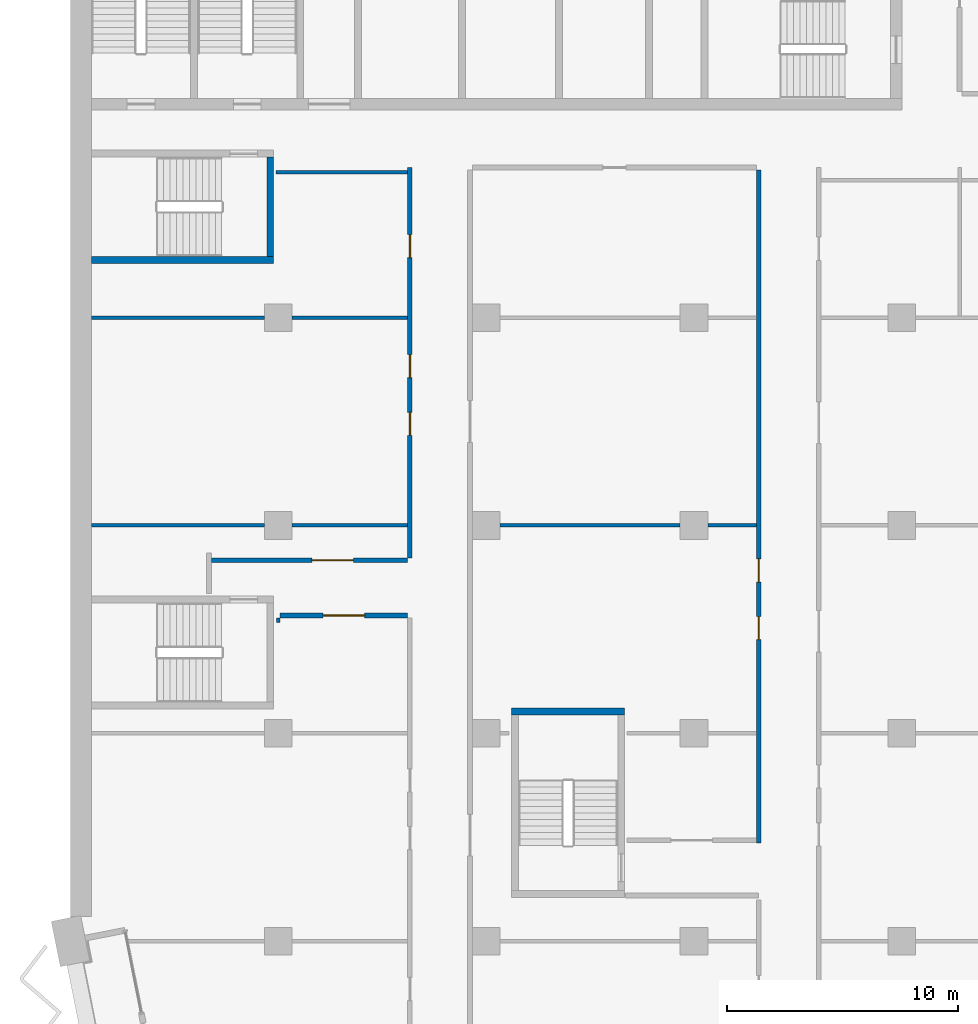
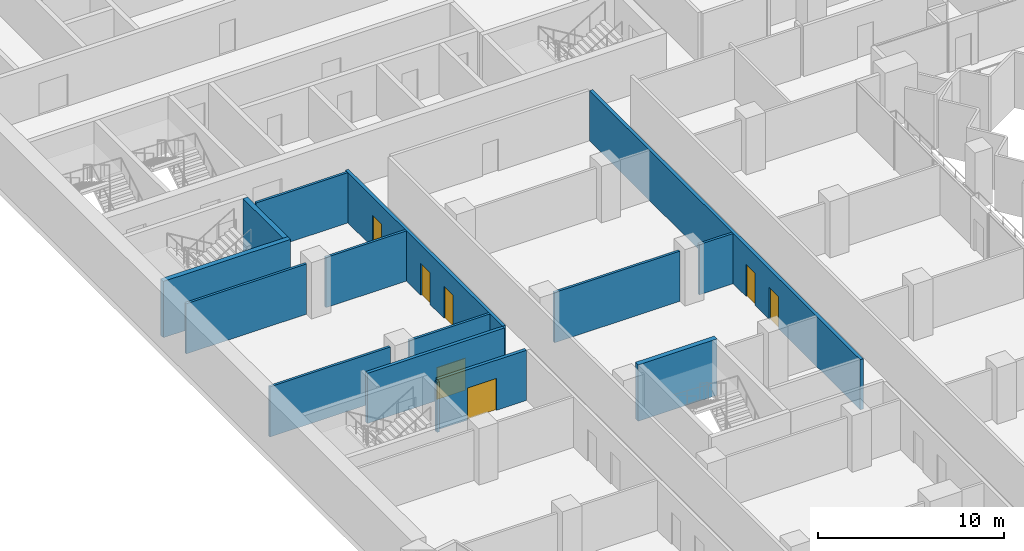
# One storey, part 10 of 22: 15 walls, 7 doors, 7 openings.
"""IFC4 building model written with IfcOpenShell, lengths in metres."""

import ifcopenshell
import ifcopenshell.guid

model = None  # the IFC model being written
_history = None  # IfcOwnerHistory: only IFC2X3 demands one
_inside = {}  # id of a spatial element -> (the spatial element, [elements in it])
_under = {}  # id of a project, library or spatial element -> (it, [spatial elements below it])
_declared = {}  # id of a project -> (the project, [libraries it declares])
_typed = {}  # id of a type object -> (the type object, [elements of that type])
_made_of = {}  # id of a material, layer set ... -> (it, [elements and type objects made of it])


def new_model(schema):
    """Start an empty IFC model of exactly this schema.

    Asked for "IFC4X3", IfcOpenShell would pick the latest addendum, in which some entities
    have other attributes; the version numbers below select the first issue.
    IFC2X3 requires an IfcOwnerHistory on every rooted entity: one is made here for all.
    """
    global model, _history
    if schema == "IFC4X3":
        model = ifcopenshell.file(schema_version=(4, 3, 0, 0))
    else:
        model = ifcopenshell.file(schema=schema)
    _inside.clear()
    _under.clear()
    _declared.clear()
    _typed.clear()
    _made_of.clear()
    _history = None
    if model.schema == "IFC2X3":
        org = make("IfcOrganization", Name="unknown")
        user = make(
            "IfcPersonAndOrganization",
            ThePerson=make("IfcPerson", FamilyName="unknown"),
            TheOrganization=org,
        )
        app = make(
            "IfcApplication",
            ApplicationDeveloper=org,
            Version="unknown",
            ApplicationFullName="unknown",
            ApplicationIdentifier="unknown",
        )
        _history = make(
            "IfcOwnerHistory",
            OwningUser=user,
            OwningApplication=app,
            ChangeAction="ADDED",
            CreationDate=0,
        )
    return model


def make(cls, **values):
    """One entity of the class cls with the attributes given. An attribute that is None is left unset."""
    return model.create_entity(
        cls, **{name: value for name, value in values.items() if value is not None}
    )


def rooted(cls, **values):
    """An entity with a GlobalId (a new one), such as an element, a storey or a relation."""
    return make(cls, GlobalId=ifcopenshell.guid.new(), OwnerHistory=_history, **values)


def si_unit(unit_type, name, prefix=None):
    """IfcSIUnit, for example si_unit("LENGTHUNIT", "METRE", prefix="MILLI")."""
    return make("IfcSIUnit", UnitType=unit_type, Prefix=prefix, Name=name)


def assignment(units):
    """IfcUnitAssignment: the units of a project."""
    return None if units is None else make("IfcUnitAssignment", Units=units)


def point(xyz):
    """IfcCartesianPoint."""
    return None if xyz is None else make("IfcCartesianPoint", Coordinates=xyz)


def direction(xyz):
    """IfcDirection."""
    return None if xyz is None else make("IfcDirection", DirectionRatios=xyz)


def frame(location, z_axis=None, x_axis=None):
    """IfcAxis2Placement3D, a coordinate frame: its origin and axes. An axis left out is left unset."""
    return make(
        "IfcAxis2Placement3D",
        Location=point(location),
        Axis=direction(z_axis),
        RefDirection=direction(x_axis),
    )


def frame_2d(location, x_axis=None):
    """IfcAxis2Placement2D, a coordinate frame in the plane: its origin and x axis."""
    return make(
        "IfcAxis2Placement2D", Location=point(location), RefDirection=direction(x_axis)
    )


def origin():
    """The frame at (0, 0, 0) with its axes left unset."""
    return frame((0.0, 0.0, 0.0))


def place(relative_to, where):
    """IfcLocalPlacement: puts the frame where relative to a parent placement (None: the world)."""
    return make(
        "IfcLocalPlacement", PlacementRelTo=relative_to, RelativePlacement=where
    )


def context(
    kind, dimensions, precision=None, world=None, true_north=None, identifier=None
):
    """IfcGeometricRepresentationContext, for example the 3D "Model" context."""
    return make(
        "IfcGeometricRepresentationContext",
        ContextIdentifier=identifier,
        ContextType=kind,
        CoordinateSpaceDimension=dimensions,
        Precision=precision,
        WorldCoordinateSystem=world,
        TrueNorth=true_north,
    )


def subcontext(parent, identifier, kind, view, scale=None):
    """IfcGeometricRepresentationSubContext, for example "Body" below "Model"."""
    return make(
        "IfcGeometricRepresentationSubContext",
        ContextIdentifier=identifier,
        ContextType=kind,
        ParentContext=parent,
        TargetScale=scale,
        TargetView=view,
    )


def project(units=None, contexts=None):
    """IfcProject with its units and contexts."""
    return rooted(
        "IfcProject",
        Name="project",
        RepresentationContexts=contexts,
        UnitsInContext=assignment(units),
    )


def spatial(cls, under=None, at=None, **own):
    """A site, building, storey or space (cls), placed at a placement, below another one or the project."""
    s = rooted(cls, ObjectPlacement=at, **own)
    if under is not None:
        _under.setdefault(under.id(), (under, []))[1].append(s)
    return s


def profile(cls, at=None, kind="AREA", **sizes):
    """A parametric profile (cls). Its sizes go by their IFC names, for example OverallWidth=200.0."""
    return make(cls, ProfileType=kind, Position=at, **sizes)


def rectangle(**sizes):
    """IfcRectangleProfileDef."""
    return profile("IfcRectangleProfileDef", **sizes)


def extrude(swept, where, along, depth):
    """IfcExtrudedAreaSolid: the profile swept, set in the frame where, extruded along a direction by depth."""
    return make(
        "IfcExtrudedAreaSolid",
        SweptArea=swept,
        Position=where,
        ExtrudedDirection=direction(along),
        Depth=depth,
    )


def shape(context_of_items, identifier, shape_type, items):
    """IfcShapeRepresentation: the items that make up one representation, for example the "Body"."""
    return make(
        "IfcShapeRepresentation",
        ContextOfItems=context_of_items,
        RepresentationIdentifier=identifier,
        RepresentationType=shape_type,
        Items=items,
    )


def material(Name=None, Category=None):
    """IfcMaterial."""
    return make("IfcMaterial", Name=Name, Category=Category)


def layer(
    of_material, thickness, ventilated=None, Name=None, Category=None, Priority=None
):
    """IfcMaterialLayer: one layer of a wall or slab, of a material (None: an air gap)."""
    return make(
        "IfcMaterialLayer",
        Material=of_material,
        LayerThickness=thickness,
        IsVentilated=ventilated,
        Name=Name,
        Category=Category,
        Priority=Priority,
    )


def layer_set(layers, Name=None):
    """IfcMaterialLayerSet."""
    return make("IfcMaterialLayerSet", MaterialLayers=layers, LayerSetName=Name)


def made_of(thing, what):
    """Note that an element or type object is made of a material, layer set ...; save() writes the relation."""
    if what is not None:
        _made_of.setdefault(what.id(), (what, []))[1].append(thing)
    return thing


def type_object(cls, material=None, **own):
    """A type object (cls), such as IfcWallType, which elements share."""
    return made_of(rooted(cls, **own), material)


def element(
    cls,
    number,
    at=None,
    inside=None,
    cuts=None,
    type_object=None,
    material=None,
    context=None,
    identifier="Body",
    shape_type=None,
    held_by="IfcProductDefinitionShape",
    body=None,
    shapes=None,
    **own,
):
    """One element of the class cls, such as IfcWall. Its Tag is "e" and its number.

    at: its placement. inside: the storey or other place that contains it. cuts: it is an
    opening in that element (IfcRelVoidsElement). A single representation is given by context,
    identifier, shape_type and body (its items); several are given by shapes. held_by: the class
    of the entity that holds the representations. save() writes the other relations.
    """
    e = rooted(cls, Tag="e%d" % number, ObjectPlacement=at, **own)
    if body is not None:
        shapes = [shape(context, identifier, shape_type, body)]
    if shapes is not None:
        e.Representation = make(held_by, Representations=shapes)
    if inside is not None:
        _inside.setdefault(inside.id(), (inside, []))[1].append(e)
    if cuts is not None:
        rooted(
            "IfcRelVoidsElement", RelatingBuildingElement=cuts, RelatedOpeningElement=e
        )
    if type_object is not None:
        _typed.setdefault(type_object.id(), (type_object, []))[1].append(e)
    return made_of(e, material)


def fill(opening, filler):
    """IfcRelFillsElement: the door or window that sits in an opening."""
    return rooted(
        "IfcRelFillsElement",
        RelatingOpeningElement=opening,
        RelatedBuildingElement=filler,
    )


def aggregate(whole, parts):
    """IfcRelAggregates: a whole, such as a stair, and the parts it consists of."""
    return rooted("IfcRelAggregates", RelatingObject=whole, RelatedObjects=parts)


def save(model, path):
    """Write the relations noted so far, then the file.

    IfcRelAggregates (storeys below a building ...), IfcRelContainedInSpatialStructure (elements
    in a storey), IfcRelDefinesByType, IfcRelAssociatesMaterial and IfcRelDeclares: one each for
    every whole, place, type object, material and project.
    """
    for whole, parts in _under.values():
        aggregate(whole, parts)
    for where, things in _inside.values():
        rooted(
            "IfcRelContainedInSpatialStructure",
            RelatedElements=things,
            RelatingStructure=where,
        )
    for kind, things in _typed.values():
        rooted("IfcRelDefinesByType", RelatedObjects=things, RelatingType=kind)
    for what, things in _made_of.values():
        rooted("IfcRelAssociatesMaterial", RelatedObjects=things, RelatingMaterial=what)
    for by, libraries in _declared.values():
        rooted("IfcRelDeclares", RelatingContext=by, RelatedDefinitions=libraries)
    model.write(path)


model = new_model("IFC4")

# Units and contexts
model_context = context("Model", 3, precision=1e-05, world=origin(), true_north=direction((0.0, 1.0)))
body_context = subcontext(model_context, "Body", "Model", "MODEL_VIEW")
ifc_project = project(units=[si_unit("LENGTHUNIT", "METRE"), si_unit("AREAUNIT", "SQUARE_METRE"), si_unit("VOLUMEUNIT", "CUBIC_METRE"), si_unit("PLANEANGLEUNIT", "RADIAN"), si_unit("MASSUNIT", "GRAM", prefix="KILO")], contexts=[model_context])

# Site, building, storey
site_placement = place(None, origin())
site = spatial("IfcSite", under=ifc_project, at=site_placement, CompositionType="ELEMENT")
building_placement = place(site_placement, origin())
building = spatial("IfcBuilding", under=site, at=building_placement, Name="Hunhe Ridgeline Campus", CompositionType="ELEMENT")
storey_placement = place(building_placement, frame((0.0, 0.0, 159.699951171875)))
storey = spatial("IfcBuildingStorey", under=building, at=storey_placement, Name="L40", CompositionType="ELEMENT", Elevation=159.699951171875)

# Wall, opening, door
ifc_material_1 = material(Name="Gypsum board partition")
ifc_layer_1 = layer(ifc_material_1, 0.199951171875)
ifc_layer_set_1 = layer_set([ifc_layer_1], Name="Corridor partition 200 gypsum board on steel studs")
wall_type_1 = type_object("IfcWallType", Name="Corridor partition 200 gypsum board on steel studs", PredefinedType="PARTITIONING", material=ifc_layer_set_1)
wall_1_placement = place(storey_placement, frame((14.60009765625, 41.10009765625, 0.0), z_axis=(0.0, 0.0, 1.0), x_axis=(-1.0, 0.0, 0.0)))
wall_1 = element("IfcWall", 1, at=wall_1_placement, inside=storey, type_object=wall_type_1, Name="F-L40-wall-022", PredefinedType="PARTITIONING", context=body_context, shape_type="SweptSolid", body=[
    extrude(rectangle(XDim=5.525146484375, YDim=0.199951171875, at=frame_2d((2.7626953125, 0.0))), origin(), (0.0, 0.0, 1.0), 3.300048828125),
])
opening_1_placement = place(wall_1_placement, frame((1.862548828125, 0.0, 0.0)))
opening_1 = element("IfcOpeningElement", 2, at=opening_1_placement, cuts=wall_1, Name="Opening RD2-017", PredefinedType="OPENING", context=body_context, shape_type="SweptSolid", body=[
    extrude(rectangle(XDim=1.800048828125, YDim=2.10009765625, at=frame_2d((0.89990234375, 1.050048828125))), frame((0.0, 0.10009765625, 0.0), z_axis=(0.0, -1.0, 0.0), x_axis=(1.0, 0.0, 0.0)), (0.0, 0.0, 1.0), 0.199951171875),
])
ifc_material_2 = material(Name="Timber door leaf", Category="wood")
door_type_1 = type_object("IfcDoorType", Name="Double fire door 1800x2100 timber FD60", OperationType="DOUBLE_DOOR_SINGLE_SWING", PredefinedType="DOOR", material=ifc_material_2)
door_1_placement = place(opening_1_placement, origin())
door_1 = element("IfcDoor", 3, at=door_1_placement, inside=storey, type_object=door_type_1, Name="F-L40-door-017", OperationType="DOUBLE_DOOR_SINGLE_SWING", OverallHeight=2.10009765625, OverallWidth=1.800048828125, PredefinedType="DOOR", context=body_context, shape_type="SweptSolid", body=[
    extrude(rectangle(XDim=1.800048828125, YDim=2.10009765625, at=frame_2d((0.89990234375, 1.050048828125))), frame((0.0, 0.02490234375, 0.0), z_axis=(0.0, -1.0, 0.0), x_axis=(1.0, 0.0, 0.0)), (0.0, 0.0, 1.0), 0.050048828125),
])
fill(opening_1, door_1)

wall_2_placement = place(storey_placement, frame((6.10009765625, 43.5, 0.0), z_axis=(0.0, 0.0, 1.0), x_axis=(1.0, 0.0, 0.0)))
wall_2 = element("IfcWall", 4, at=wall_2_placement, inside=storey, type_object=wall_type_1, Name="F-L40-wall-023", PredefinedType="PARTITIONING", context=body_context, shape_type="SweptSolid", body=[
    extrude(rectangle(XDim=8.5, YDim=0.199951171875, at=frame_2d((4.25, 0.0))), origin(), (0.0, 0.0, 1.0), 3.300048828125),
])
opening_2_placement = place(wall_2_placement, frame((4.35009765625, 0.0, 0.0)))
opening_2 = element("IfcOpeningElement", 5, at=opening_2_placement, cuts=wall_2, Name="Opening RD2-019", PredefinedType="OPENING", context=body_context, shape_type="SweptSolid", body=[
    extrude(rectangle(XDim=1.800048828125, YDim=2.10009765625, at=frame_2d((0.89990234375, 1.050048828125))), frame((0.0, 0.10009765625, 0.0), z_axis=(0.0, -1.0, 0.0), x_axis=(1.0, 0.0, 0.0)), (0.0, 0.0, 1.0), 0.199951171875),
])
door_2_placement = place(opening_2_placement, origin())
door_2 = element("IfcDoor", 6, at=door_2_placement, inside=storey, type_object=door_type_1, Name="F-L40-door-019", OperationType="DOUBLE_DOOR_SINGLE_SWING", OverallHeight=2.10009765625, OverallWidth=1.800048828125, PredefinedType="DOOR", context=body_context, shape_type="SweptSolid", body=[
    extrude(rectangle(XDim=1.800048828125, YDim=2.10009765625, at=frame_2d((0.89990234375, 1.050048828125))), frame((0.0, 0.02490234375, 0.0), z_axis=(0.0, -1.0, 0.0), x_axis=(1.0, 0.0, 0.0)), (0.0, 0.0, 1.0), 0.050048828125),
])
fill(opening_2, door_2)

# Wall, openings, doors
wall_3_placement = place(storey_placement, frame((14.699951171875, 43.60009765625, 0.0), z_axis=(0.0, 0.0, 1.0), x_axis=(0.0, 1.0, 0.0)))
wall_3 = element("IfcWall", 7, at=wall_3_placement, inside=storey, type_object=wall_type_1, Name="F-L40-wall-058", PredefinedType="PARTITIONING", context=body_context, shape_type="SweptSolid", body=[
    extrude(rectangle(XDim=16.89990234375, YDim=0.199951171875, at=frame_2d((8.449951171875, 0.0))), origin(), (0.0, 0.0, 1.0), 3.300048828125),
])
opening_3_placement = place(wall_3_placement, frame((5.301513671875, 0.0, 0.0)))
opening_3 = element("IfcOpeningElement", 8, at=opening_3_placement, cuts=wall_3, Name="Opening RD1-020", PredefinedType="OPENING", context=body_context, shape_type="SweptSolid", body=[
    extrude(rectangle(XDim=1.0, YDim=2.10009765625, at=frame_2d((0.5, 1.050048828125))), frame((0.0, 0.10009765625, 0.0), z_axis=(0.0, -1.0, 0.0), x_axis=(1.0, 0.0, 0.0)), (0.0, 0.0, 1.0), 0.199951171875),
])
opening_4_placement = place(wall_3_placement, frame((7.801513671875, 0.0, 0.0)))
opening_4 = element("IfcOpeningElement", 9, at=opening_4_placement, cuts=wall_3, Name="Opening RD1-023", PredefinedType="OPENING", context=body_context, shape_type="SweptSolid", body=[
    extrude(rectangle(XDim=1.0, YDim=2.10009765625, at=frame_2d((0.5, 1.050048828125))), frame((0.0, 0.10009765625, 0.0), z_axis=(0.0, -1.0, 0.0), x_axis=(1.0, 0.0, 0.0)), (0.0, 0.0, 1.0), 0.199951171875),
])
opening_5_placement = place(wall_3_placement, frame((12.994873046875, 0.0, 0.0)))
opening_5 = element("IfcOpeningElement", 10, at=opening_5_placement, cuts=wall_3, Name="Opening RD1-025", PredefinedType="OPENING", context=body_context, shape_type="SweptSolid", body=[
    extrude(rectangle(XDim=1.0, YDim=2.10009765625, at=frame_2d((0.5, 1.050048828125))), frame((0.0, 0.10009765625, 0.0), z_axis=(0.0, -1.0, 0.0), x_axis=(1.0, 0.0, 0.0)), (0.0, 0.0, 1.0), 0.199951171875),
])
door_type_2 = type_object("IfcDoorType", Name="Single fire door 1000x2100 timber FD60", OperationType="NOTDEFINED", PredefinedType="DOOR", material=ifc_material_2)
door_3_placement = place(opening_3_placement, frame((1.0, 0.0, 0.0), z_axis=(0.0, 0.0, 1.0), x_axis=(-1.0, 0.0, 0.0)))
door_3 = element("IfcDoor", 11, at=door_3_placement, inside=storey, type_object=door_type_2, Name="F-L40-door-020", OperationType="SINGLE_SWING_LEFT", OverallHeight=2.10009765625, OverallWidth=1.0, PredefinedType="DOOR", context=body_context, shape_type="SweptSolid", body=[
    extrude(rectangle(XDim=1.0, YDim=2.10009765625, at=frame_2d((0.5, 1.050048828125))), frame((0.0, 0.02490234375, 0.0), z_axis=(0.0, -1.0, 0.0), x_axis=(1.0, 0.0, 0.0)), (0.0, 0.0, 1.0), 0.050048828125),
])
fill(opening_3, door_3)
door_4_placement = place(opening_4_placement, frame((1.0, 0.0, 0.0), z_axis=(0.0, 0.0, 1.0), x_axis=(-1.0, 0.0, 0.0)))
door_4 = element("IfcDoor", 12, at=door_4_placement, inside=storey, type_object=door_type_2, Name="F-L40-door-023", OperationType="SINGLE_SWING_LEFT", OverallHeight=2.10009765625, OverallWidth=1.0, PredefinedType="DOOR", context=body_context, shape_type="SweptSolid", body=[
    extrude(rectangle(XDim=1.0, YDim=2.10009765625, at=frame_2d((0.5, 1.050048828125))), frame((0.0, 0.02490234375, 0.0), z_axis=(0.0, -1.0, 0.0), x_axis=(1.0, 0.0, 0.0)), (0.0, 0.0, 1.0), 0.050048828125),
])
fill(opening_4, door_4)
door_5_placement = place(opening_5_placement, origin())
door_5 = element("IfcDoor", 13, at=door_5_placement, inside=storey, type_object=door_type_2, Name="F-L40-door-025", OperationType="SINGLE_SWING_LEFT", OverallHeight=2.10009765625, OverallWidth=1.0, PredefinedType="DOOR", context=body_context, shape_type="SweptSolid", body=[
    extrude(rectangle(XDim=1.0, YDim=2.10009765625, at=frame_2d((0.5, 1.050048828125))), frame((0.0, 0.02490234375, 0.0), z_axis=(0.0, -1.0, 0.0), x_axis=(1.0, 0.0, 0.0)), (0.0, 0.0, 1.0), 0.050048828125),
])
fill(opening_5, door_5)

wall_4_placement = place(storey_placement, frame((29.800048828125, 31.255859375, 0.0), z_axis=(0.0, 0.0, 1.0), x_axis=(0.0, 1.0, 0.0)))
wall_4 = element("IfcWall", 14, at=wall_4_placement, inside=storey, type_object=wall_type_1, Name="F-L40-wall-061", PredefinedType="PARTITIONING", context=body_context, shape_type="SweptSolid", body=[
    extrude(rectangle(XDim=29.14404296875, YDim=0.199951171875, at=frame_2d((14.572021484375, 0.0))), origin(), (0.0, 0.0, 1.0), 3.300048828125),
])
opening_6_placement = place(wall_4_placement, frame((8.7958984375, 0.0, 0.0)))
opening_6 = element("IfcOpeningElement", 15, at=opening_6_placement, cuts=wall_4, Name="Opening RD1-016", PredefinedType="OPENING", context=body_context, shape_type="SweptSolid", body=[
    extrude(rectangle(XDim=1.0, YDim=2.10009765625, at=frame_2d((0.5, 1.050048828125))), frame((0.0, 0.10009765625, 0.0), z_axis=(0.0, -1.0, 0.0), x_axis=(1.0, 0.0, 0.0)), (0.0, 0.0, 1.0), 0.199951171875),
])
opening_7_placement = place(wall_4_placement, frame((11.2958984375, 0.0, 0.0)))
opening_7 = element("IfcOpeningElement", 16, at=opening_7_placement, cuts=wall_4, Name="Opening RD1-018", PredefinedType="OPENING", context=body_context, shape_type="SweptSolid", body=[
    extrude(rectangle(XDim=1.0, YDim=2.10009765625, at=frame_2d((0.5, 1.050048828125))), frame((0.0, 0.10009765625, 0.0), z_axis=(0.0, -1.0, 0.0), x_axis=(1.0, 0.0, 0.0)), (0.0, 0.0, 1.0), 0.199951171875),
])
door_6_placement = place(opening_6_placement, frame((1.0, 0.0, 0.0), z_axis=(0.0, 0.0, 1.0), x_axis=(-1.0, 0.0, 0.0)))
door_6 = element("IfcDoor", 17, at=door_6_placement, inside=storey, type_object=door_type_2, Name="F-L40-door-016", OperationType="SINGLE_SWING_RIGHT", OverallHeight=2.10009765625, OverallWidth=1.0, PredefinedType="DOOR", context=body_context, shape_type="SweptSolid", body=[
    extrude(rectangle(XDim=1.0, YDim=2.10009765625, at=frame_2d((0.5, 1.050048828125))), frame((0.0, 0.02490234375, 0.0), z_axis=(0.0, -1.0, 0.0), x_axis=(1.0, 0.0, 0.0)), (0.0, 0.0, 1.0), 0.050048828125),
])
fill(opening_6, door_6)
door_7_placement = place(opening_7_placement, frame((1.0, 0.0, 0.0), z_axis=(0.0, 0.0, 1.0), x_axis=(-1.0, 0.0, 0.0)))
door_7 = element("IfcDoor", 18, at=door_7_placement, inside=storey, type_object=door_type_2, Name="F-L40-door-018", OperationType="SINGLE_SWING_LEFT", OverallHeight=2.10009765625, OverallWidth=1.0, PredefinedType="DOOR", context=body_context, shape_type="SweptSolid", body=[
    extrude(rectangle(XDim=1.0, YDim=2.10009765625, at=frame_2d((0.5, 1.050048828125))), frame((0.0, 0.02490234375, 0.0), z_axis=(0.0, -1.0, 0.0), x_axis=(1.0, 0.0, 0.0)), (0.0, 0.0, 1.0), 0.050048828125),
])
fill(opening_7, door_7)

# Walls
ifc_layer_2 = layer(ifc_material_1, 0.14990234375)
ifc_layer_set_2 = layer_set([ifc_layer_2], Name="Room partition 150 gypsum board on steel studs")
wall_type_2 = type_object("IfcWallType", Name="Room partition 150 gypsum board on steel studs", PredefinedType="PARTITIONING", material=ifc_layer_set_2)
wall_5_placement = place(storey_placement, frame((0.919921875, 45.0, 0.0), z_axis=(0.0, 0.0, 1.0), x_axis=(1.0, 0.0, 0.0)))
element("IfcWall", 19, at=wall_5_placement, inside=storey, type_object=wall_type_2, Name="F-L40-wall-024", PredefinedType="PARTITIONING", context=body_context, shape_type="SweptSolid", body=[
    extrude(rectangle(XDim=7.47998046875, YDim=0.14990234375, at=frame_2d((3.739990234375, 0.0))), origin(), (0.0, 0.0, 1.0), 3.300048828125),
])
wall_6_placement = place(storey_placement, frame((9.60009765625, 45.0, 0.0), z_axis=(0.0, 0.0, 1.0), x_axis=(1.0, 0.0, 0.0)))
element("IfcWall", 20, at=wall_6_placement, inside=storey, type_object=wall_type_2, Name="F-L40-wall-025", PredefinedType="PARTITIONING", context=body_context, shape_type="SweptSolid", body=[
    extrude(rectangle(XDim=5.0, YDim=0.14990234375, at=frame_2d((2.5, 0.0))), origin(), (0.0, 0.0, 1.0), 3.300048828125),
])
wall_7_placement = place(storey_placement, frame((18.60009765625, 45.0, 0.0), z_axis=(0.0, 0.0, 1.0), x_axis=(1.0, 0.0, 0.0)))
element("IfcWall", 21, at=wall_7_placement, inside=storey, type_object=wall_type_2, Name="F-L40-wall-026", PredefinedType="PARTITIONING", context=body_context, shape_type="SweptSolid", body=[
    extrude(rectangle(XDim=7.7998046875, YDim=0.14990234375, at=frame_2d((3.89990234375, 0.0))), origin(), (0.0, 0.0, 1.0), 3.300048828125),
])
wall_8_placement = place(storey_placement, frame((27.60009765625, 45.0, 0.0), z_axis=(0.0, 0.0, 1.0), x_axis=(1.0, 0.0, 0.0)))
element("IfcWall", 22, at=wall_8_placement, inside=storey, type_object=wall_type_2, Name="F-L40-wall-027", PredefinedType="PARTITIONING", context=body_context, shape_type="SweptSolid", body=[
    extrude(rectangle(XDim=2.099853515625, YDim=0.14990234375, at=frame_2d((1.0498046875, 0.0))), origin(), (0.0, 0.0, 1.0), 3.300048828125),
])
wall_9_placement = place(storey_placement, frame((0.919921875, 54.0, 0.0), z_axis=(0.0, 0.0, 1.0), x_axis=(1.0, 0.0, 0.0)))
element("IfcWall", 23, at=wall_9_placement, inside=storey, type_object=wall_type_2, Name="F-L40-wall-030", PredefinedType="PARTITIONING", context=body_context, shape_type="SweptSolid", body=[
    extrude(rectangle(XDim=7.47998046875, YDim=0.14990234375, at=frame_2d((3.739990234375, 0.0))), origin(), (0.0, 0.0, 1.0), 3.300048828125),
])
wall_10_placement = place(storey_placement, frame((9.60009765625, 54.0, 0.0), z_axis=(0.0, 0.0, 1.0), x_axis=(1.0, 0.0, 0.0)))
element("IfcWall", 24, at=wall_10_placement, inside=storey, type_object=wall_type_2, Name="F-L40-wall-031", PredefinedType="PARTITIONING", context=body_context, shape_type="SweptSolid", body=[
    extrude(rectangle(XDim=5.0, YDim=0.14990234375, at=frame_2d((2.5, 0.0))), origin(), (0.0, 0.0, 1.0), 3.300048828125),
])
wall_11_placement = place(storey_placement, frame((8.904052734375, 60.300048828125, 0.0), z_axis=(0.0, 0.0, 1.0), x_axis=(1.0, 0.0, 0.0)))
element("IfcWall", 25, at=wall_11_placement, inside=storey, type_object=wall_type_2, Name="F-L40-wall-040", PredefinedType="PARTITIONING", context=body_context, shape_type="SweptSolid", body=[
    extrude(rectangle(XDim=5.696044921875, YDim=0.14990234375, at=frame_2d((2.84814453125, 0.0))), origin(), (0.0, 0.0, 1.0), 3.300048828125),
])
wall_12_placement = place(storey_placement, frame((9.0, 41.0, 0.0), z_axis=(0.0, 0.0, 1.0), x_axis=(0.0, -1.0, 0.0)))
element("IfcWall", 26, at=wall_12_placement, inside=storey, type_object=wall_type_2, Name="F-L40-wall-056", PredefinedType="PARTITIONING", context=body_context, shape_type="SweptSolid", body=[
    extrude(rectangle(XDim=0.199951171875, YDim=0.14990234375, at=frame_2d((0.10009765625, 0.0))), origin(), (0.0, 0.0, 1.0), 3.300048828125),
])
ifc_material_3 = material(Name="Concrete C70", Category="concrete")
ifc_layer_3 = layer(ifc_material_3, 0.300048828125)
ifc_layer_set_3 = layer_set([ifc_layer_3], Name="Stair wall 300 reinforced concrete C70")
wall_type_3 = type_object("IfcWallType", Name="Stair wall 300 reinforced concrete C70", PredefinedType="SOLIDWALL", material=ifc_layer_set_3)
wall_13_placement = place(storey_placement, frame((19.10009765625, 36.949951171875, -0.39990234375), z_axis=(0.0, 0.0, 1.0), x_axis=(1.0, 0.0, 0.0)))
element("IfcWall", 27, at=wall_13_placement, inside=storey, type_object=wall_type_3, Name="L40 core wall 2", PredefinedType="SOLIDWALL", context=body_context, shape_type="SweptSolid", body=[
    extrude(rectangle(XDim=4.89990234375, YDim=0.300048828125, at=frame_2d((2.449951171875, 0.0))), origin(), (0.0, 0.0, 1.0), 3.699951171875),
])
wall_14_placement = place(storey_placement, frame((0.89990234375, 56.5, -0.39990234375), z_axis=(0.0, 0.0, 1.0), x_axis=(1.0, 0.0, 0.0)))
element("IfcWall", 28, at=wall_14_placement, inside=storey, type_object=wall_type_3, Name="L40 core wall 5", PredefinedType="SOLIDWALL", context=body_context, shape_type="SweptSolid", body=[
    extrude(rectangle(XDim=7.900146484375, YDim=0.300048828125, at=frame_2d((3.9501953125, 0.0))), origin(), (0.0, 0.0, 1.0), 3.699951171875),
])
wall_15_placement = place(storey_placement, frame((8.64990234375, 56.64990234375, -0.39990234375), z_axis=(0.0, 0.0, 1.0), x_axis=(0.0, 1.0, 0.0)))
element("IfcWall", 29, at=wall_15_placement, inside=storey, type_object=wall_type_3, Name="L40 core wall 37", PredefinedType="SOLIDWALL", context=body_context, shape_type="SweptSolid", body=[
    extrude(rectangle(XDim=4.300048828125, YDim=0.300048828125, at=frame_2d((2.14990234375, 0.0))), origin(), (0.0, 0.0, 1.0), 3.699951171875),
])

save(model, "model.ifc")
